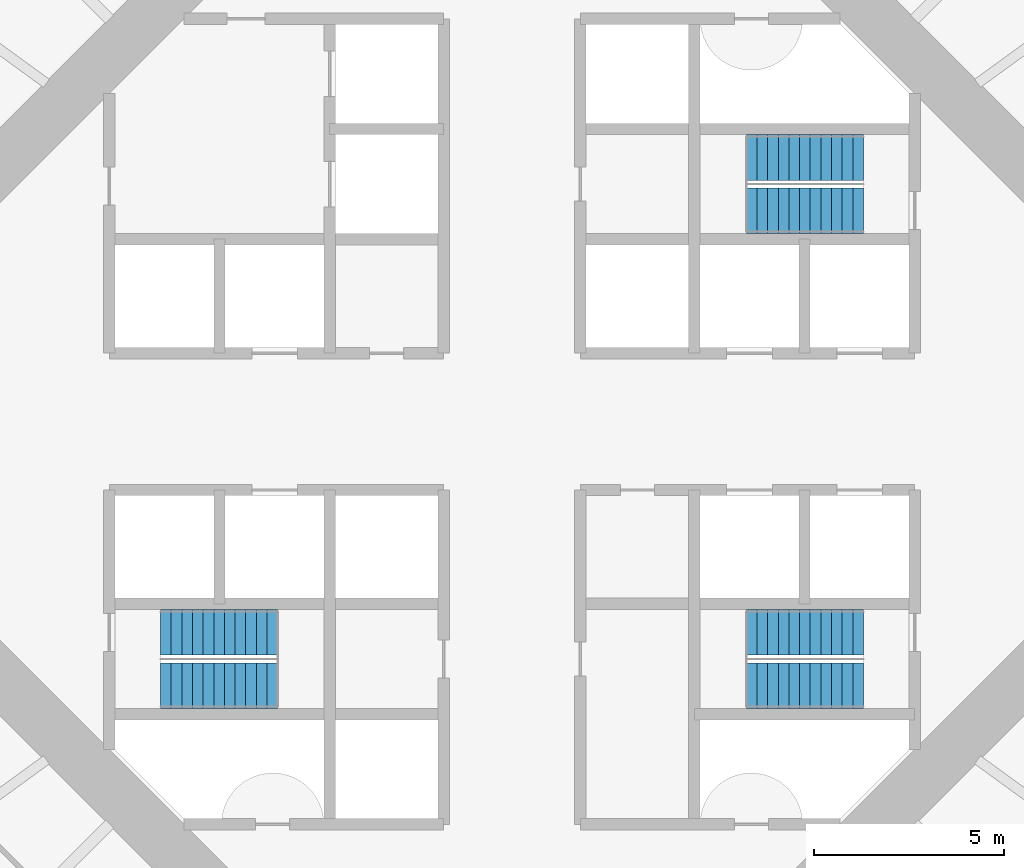
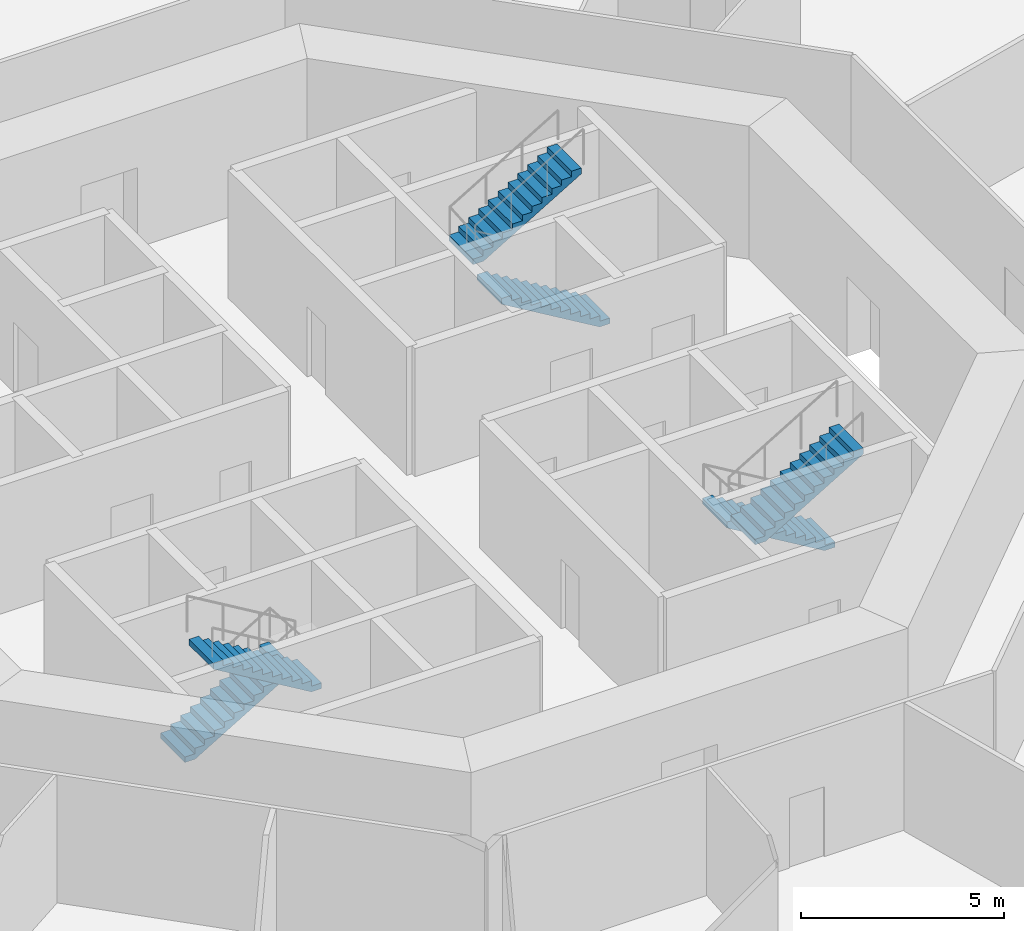
# One storey, part 6 of 13: 6 stair flights, 3 elements without a shape of their own.
"""IFC4 building model written with IfcOpenShell, lengths in metres."""

from ifc_helpers import new_model, si_unit, direction, frame, origin, place, context, subcontext, project, spatial, polyline, outline, extrude, material, type_object, element, aggregate, save


model = new_model("IFC4")

# Units and contexts
model_context = context("Model", 3, precision=1e-05, world=origin(), true_north=direction((0.0, 1.0)))
body_context = subcontext(model_context, "Body", "Model", "MODEL_VIEW")
ifc_project = project(units=[si_unit("LENGTHUNIT", "METRE"), si_unit("AREAUNIT", "SQUARE_METRE"), si_unit("VOLUMEUNIT", "CUBIC_METRE"), si_unit("PLANEANGLEUNIT", "RADIAN"), si_unit("MASSUNIT", "GRAM", prefix="KILO")], contexts=[model_context])

# Site, building, storey
site_placement = place(None, origin())
site = spatial("IfcSite", under=ifc_project, at=site_placement, CompositionType="ELEMENT")
building_placement = place(site_placement, origin())
building = spatial("IfcBuilding", under=site, at=building_placement, Name="Entoto Ring Tower", CompositionType="ELEMENT")
storey_placement = place(building_placement, frame((0.0, 0.0, 26.0)))
storey = spatial("IfcBuildingStorey", under=building, at=storey_placement, Name="L04", CompositionType="ELEMENT", Elevation=26.0)

# Stair, stair flights
ifc_material_1 = material(Name="Concrete C40/50", Category="concrete")
stair_type = type_object("IfcStairType", Name="Exit stair 1200 mm dog-leg reinforced concrete", PredefinedType="HALF_TURN_STAIR", material=ifc_material_1)
stair_1_placement = place(storey_placement, origin())
stair_1 = element("IfcStair", 1, at=stair_1_placement, inside=storey, type_object=stair_type, Name="Exit stair 1", PredefinedType="HALF_TURN_STAIR")
ifc_material_2 = material(Name="Concrete C40/50", Category="concrete")
stair_flight_type = type_object("IfcStairFlightType", Name="Stair flight 1200 mm reinforced concrete", PredefinedType="STRAIGHT", material=ifc_material_2)
stair_flight_1_placement = place(storey_placement, frame((99.25, 85.550048828125, 0.0), z_axis=(0.0, 0.0, 1.0), x_axis=(-1.0, 0.0, 0.0)))
stair_flight_1 = element("IfcStairFlight", 2, at=stair_flight_1_placement, type_object=stair_flight_type, Name="ST1 flight 1", NumberOfRisers=12, NumberOfTreads=11, PredefinedType="STRAIGHT", RiserHeight=0.166666667, TreadLength=0.28, context=body_context, shape_type="SweptSolid", body=[
    extrude(outline(polyline([(0.0, 0.0), (0.0, 0.166748046875), (0.280029296875, 0.166748046875), (0.280029296875, 0.333251953125), (0.56005859375, 0.333251953125), (0.56005859375, 0.5), (0.840087890625, 0.5), (0.840087890625, 0.666748046875), (1.1201171875, 0.666748046875), (1.1201171875, 0.833251953125), (1.39990234375, 0.833251953125), (1.39990234375, 1.0), (1.679931640625, 1.0), (1.679931640625, 1.166748046875), (1.9599609375, 1.166748046875), (1.9599609375, 1.333251953125), (2.239990234375, 1.333251953125), (2.239990234375, 1.5), (2.52001953125, 1.5), (2.52001953125, 1.666748046875), (2.800048828125, 1.666748046875), (2.800048828125, 1.833251953125), (3.080078125, 1.833251953125), (3.080078125, 2.0), (3.080078125, 1.658935546875), (0.29296875, 0.0), (0.0, 0.0)])), frame((0.0, 0.60009765625, 0.0), z_axis=(0.0, -1.0, 0.0), x_axis=(1.0, 0.0, 0.0)), (0.0, 0.0, 1.0), 1.199951171875),
])
stair_flight_2_placement = place(storey_placement, frame((96.169921875, 86.949951171875, 2.0), z_axis=(0.0, 0.0, 1.0), x_axis=(1.0, 0.0, 0.0)))
stair_flight_2 = element("IfcStairFlight", 3, at=stair_flight_2_placement, type_object=stair_flight_type, Name="ST1 flight 2", NumberOfRisers=12, NumberOfTreads=11, PredefinedType="STRAIGHT", RiserHeight=0.166666667, TreadLength=0.28, context=body_context, shape_type="SweptSolid", body=[
    extrude(outline(polyline([(0.0, 0.0), (0.0, 0.166748046875), (0.280029296875, 0.166748046875), (0.280029296875, 0.333251953125), (0.56005859375, 0.333251953125), (0.56005859375, 0.5), (0.840087890625, 0.5), (0.840087890625, 0.666748046875), (1.1201171875, 0.666748046875), (1.1201171875, 0.833251953125), (1.39990234375, 0.833251953125), (1.39990234375, 1.0), (1.679931640625, 1.0), (1.679931640625, 1.166748046875), (1.9599609375, 1.166748046875), (1.9599609375, 1.333251953125), (2.239990234375, 1.333251953125), (2.239990234375, 1.5), (2.52001953125, 1.5), (2.52001953125, 1.666748046875), (2.800048828125, 1.666748046875), (2.800048828125, 1.833251953125), (3.080078125, 1.833251953125), (3.080078125, 2.0), (3.080078125, 1.658935546875), (0.29296875, 0.0), (0.0, 0.0)])), frame((0.0, 0.60009765625, 0.0), z_axis=(0.0, -1.0, 0.0), x_axis=(1.0, 0.0, 0.0)), (0.0, 0.0, 1.0), 1.199951171875),
])
aggregate(stair_1, [stair_flight_1, stair_flight_2])

stair_2_placement = place(storey_placement, origin())
stair_2 = element("IfcStair", 4, at=stair_2_placement, inside=storey, type_object=stair_type, Name="Exit stair 2", PredefinedType="HALF_TURN_STAIR")
stair_flight_3_placement = place(storey_placement, frame((80.75, 74.449951171875, 0.0), z_axis=(0.0, 0.0, 1.0), x_axis=(1.0, 0.0, 0.0)))
stair_flight_3 = element("IfcStairFlight", 5, at=stair_flight_3_placement, type_object=stair_flight_type, Name="ST2 flight 1", NumberOfRisers=12, NumberOfTreads=11, PredefinedType="STRAIGHT", RiserHeight=0.166666667, TreadLength=0.28, context=body_context, shape_type="SweptSolid", body=[
    extrude(outline(polyline([(0.0, 0.0), (0.0, 0.166748046875), (0.280029296875, 0.166748046875), (0.280029296875, 0.333251953125), (0.56005859375, 0.333251953125), (0.56005859375, 0.5), (0.840087890625, 0.5), (0.840087890625, 0.666748046875), (1.1201171875, 0.666748046875), (1.1201171875, 0.833251953125), (1.39990234375, 0.833251953125), (1.39990234375, 1.0), (1.679931640625, 1.0), (1.679931640625, 1.166748046875), (1.9599609375, 1.166748046875), (1.9599609375, 1.333251953125), (2.239990234375, 1.333251953125), (2.239990234375, 1.5), (2.52001953125, 1.5), (2.52001953125, 1.666748046875), (2.800048828125, 1.666748046875), (2.800048828125, 1.833251953125), (3.080078125, 1.833251953125), (3.080078125, 2.0), (3.080078125, 1.658935546875), (0.29296875, 0.0), (0.0, 0.0)])), frame((0.0, 0.60009765625, 0.0), z_axis=(0.0, -1.0, 0.0), x_axis=(1.0, 0.0, 0.0)), (0.0, 0.0, 1.0), 1.199951171875),
])
stair_flight_4_placement = place(storey_placement, frame((83.830078125, 73.050048828125, 2.0), z_axis=(0.0, 0.0, 1.0), x_axis=(-1.0, 0.0, 0.0)))
stair_flight_4 = element("IfcStairFlight", 6, at=stair_flight_4_placement, type_object=stair_flight_type, Name="ST2 flight 2", NumberOfRisers=12, NumberOfTreads=11, PredefinedType="STRAIGHT", RiserHeight=0.166666667, TreadLength=0.28, context=body_context, shape_type="SweptSolid", body=[
    extrude(outline(polyline([(0.0, 0.0), (0.0, 0.166748046875), (0.280029296875, 0.166748046875), (0.280029296875, 0.333251953125), (0.56005859375, 0.333251953125), (0.56005859375, 0.5), (0.840087890625, 0.5), (0.840087890625, 0.666748046875), (1.1201171875, 0.666748046875), (1.1201171875, 0.833251953125), (1.39990234375, 0.833251953125), (1.39990234375, 1.0), (1.679931640625, 1.0), (1.679931640625, 1.166748046875), (1.9599609375, 1.166748046875), (1.9599609375, 1.333251953125), (2.239990234375, 1.333251953125), (2.239990234375, 1.5), (2.52001953125, 1.5), (2.52001953125, 1.666748046875), (2.800048828125, 1.666748046875), (2.800048828125, 1.833251953125), (3.080078125, 1.833251953125), (3.080078125, 2.0), (3.080078125, 1.658935546875), (0.29296875, 0.0), (0.0, 0.0)])), frame((0.0, 0.60009765625, 0.0), z_axis=(0.0, -1.0, 0.0), x_axis=(1.0, 0.0, 0.0)), (0.0, 0.0, 1.0), 1.199951171875),
])
aggregate(stair_2, [stair_flight_3, stair_flight_4])

stair_3_placement = place(storey_placement, origin())
stair_3 = element("IfcStair", 7, at=stair_3_placement, inside=storey, type_object=stair_type, Name="Exit stair 3", PredefinedType="HALF_TURN_STAIR")
stair_flight_5_placement = place(storey_placement, frame((99.25, 74.449951171875, 0.0), z_axis=(0.0, 0.0, 1.0), x_axis=(-1.0, 0.0, 0.0)))
stair_flight_5 = element("IfcStairFlight", 8, at=stair_flight_5_placement, type_object=stair_flight_type, Name="ST3 flight 1", NumberOfRisers=12, NumberOfTreads=11, PredefinedType="STRAIGHT", RiserHeight=0.166666667, TreadLength=0.28, context=body_context, shape_type="SweptSolid", body=[
    extrude(outline(polyline([(0.0, 0.0), (0.0, 0.166748046875), (0.280029296875, 0.166748046875), (0.280029296875, 0.333251953125), (0.56005859375, 0.333251953125), (0.56005859375, 0.5), (0.840087890625, 0.5), (0.840087890625, 0.666748046875), (1.1201171875, 0.666748046875), (1.1201171875, 0.833251953125), (1.39990234375, 0.833251953125), (1.39990234375, 1.0), (1.679931640625, 1.0), (1.679931640625, 1.166748046875), (1.9599609375, 1.166748046875), (1.9599609375, 1.333251953125), (2.239990234375, 1.333251953125), (2.239990234375, 1.5), (2.52001953125, 1.5), (2.52001953125, 1.666748046875), (2.800048828125, 1.666748046875), (2.800048828125, 1.833251953125), (3.080078125, 1.833251953125), (3.080078125, 2.0), (3.080078125, 1.658935546875), (0.29296875, 0.0), (0.0, 0.0)])), frame((0.0, 0.60009765625, 0.0), z_axis=(0.0, -1.0, 0.0), x_axis=(1.0, 0.0, 0.0)), (0.0, 0.0, 1.0), 1.199951171875),
])
stair_flight_6_placement = place(storey_placement, frame((96.169921875, 73.050048828125, 2.0), z_axis=(0.0, 0.0, 1.0), x_axis=(1.0, 0.0, 0.0)))
stair_flight_6 = element("IfcStairFlight", 9, at=stair_flight_6_placement, type_object=stair_flight_type, Name="ST3 flight 2", NumberOfRisers=12, NumberOfTreads=11, PredefinedType="STRAIGHT", RiserHeight=0.166666667, TreadLength=0.28, context=body_context, shape_type="SweptSolid", body=[
    extrude(outline(polyline([(0.0, 0.0), (0.0, 0.166748046875), (0.280029296875, 0.166748046875), (0.280029296875, 0.333251953125), (0.56005859375, 0.333251953125), (0.56005859375, 0.5), (0.840087890625, 0.5), (0.840087890625, 0.666748046875), (1.1201171875, 0.666748046875), (1.1201171875, 0.833251953125), (1.39990234375, 0.833251953125), (1.39990234375, 1.0), (1.679931640625, 1.0), (1.679931640625, 1.166748046875), (1.9599609375, 1.166748046875), (1.9599609375, 1.333251953125), (2.239990234375, 1.333251953125), (2.239990234375, 1.5), (2.52001953125, 1.5), (2.52001953125, 1.666748046875), (2.800048828125, 1.666748046875), (2.800048828125, 1.833251953125), (3.080078125, 1.833251953125), (3.080078125, 2.0), (3.080078125, 1.658935546875), (0.29296875, 0.0), (0.0, 0.0)])), frame((0.0, 0.60009765625, 0.0), z_axis=(0.0, -1.0, 0.0), x_axis=(1.0, 0.0, 0.0)), (0.0, 0.0, 1.0), 1.199951171875),
])
aggregate(stair_3, [stair_flight_5, stair_flight_6])

save(model, "model.ifc")
